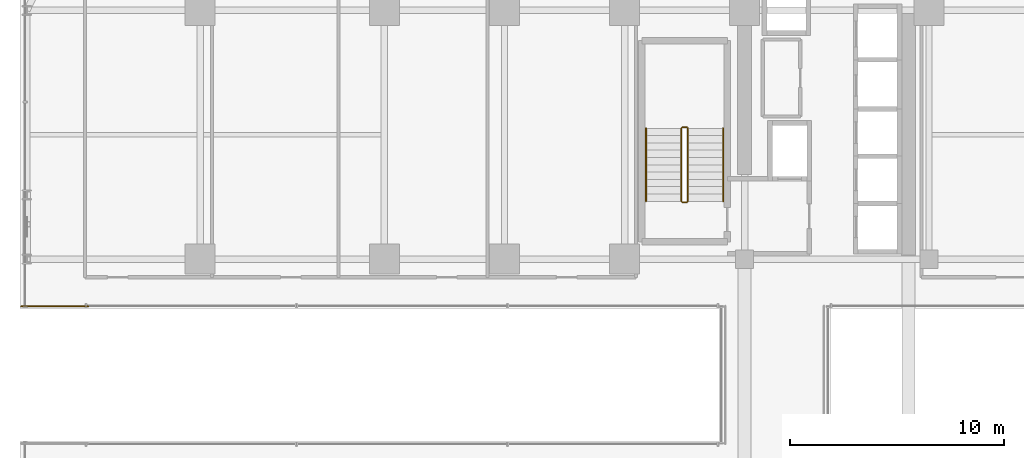
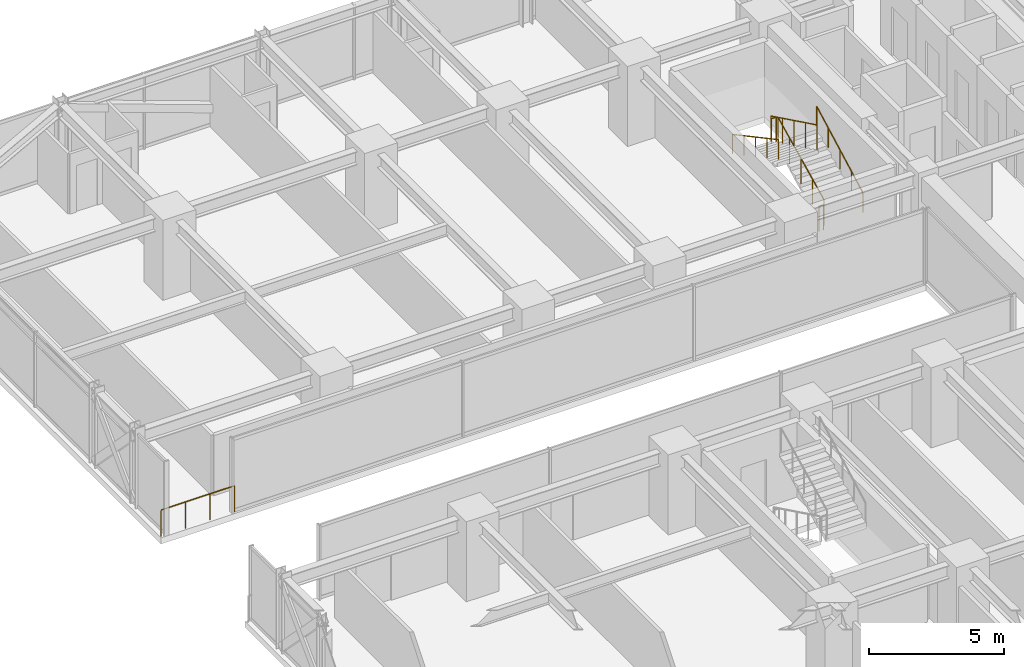
# One storey, part 41 of 43: 7 railings.
"""IFC4 building model written with IfcOpenShell, lengths in metres."""

from ifc_helpers import new_model, si_unit, direction, frame, origin, origin_2d, place, context, subcontext, project, spatial, circle, extrude, material, type_object, element, save


model = new_model("IFC4")

# Units and contexts
model_context = context("Model", 3, precision=1e-05, world=origin(), true_north=direction((0.0, 1.0)))
body_context = subcontext(model_context, "Body", "Model", "MODEL_VIEW")
ifc_project = project(units=[si_unit("LENGTHUNIT", "METRE"), si_unit("AREAUNIT", "SQUARE_METRE"), si_unit("VOLUMEUNIT", "CUBIC_METRE"), si_unit("PLANEANGLEUNIT", "RADIAN"), si_unit("MASSUNIT", "GRAM", prefix="KILO")], contexts=[model_context])

# Site, building, storey
site_placement = place(None, origin())
site = spatial("IfcSite", under=ifc_project, at=site_placement, CompositionType="ELEMENT")
building_placement = place(site_placement, origin())
building = spatial("IfcBuilding", under=site, at=building_placement, Name="Nahalor Promenade Grand Hotel", CompositionType="ELEMENT")
storey_placement = place(building_placement, frame((0.0, 0.0, 57.949951171875)))
storey = spatial("IfcBuildingStorey", under=building, at=storey_placement, Name="L13", CompositionType="ELEMENT", Elevation=57.949951171875)

# Railings
ifc_material_1 = material(Name="Anodised Bronze Aluminium EN AW-6063 T6", Category="aluminium")
railing_type_1 = type_object("IfcRailingType", Name="Bronze Balcony Guardrail 1200 mm", PredefinedType="GUARDRAIL", material=ifc_material_1)
railing_1_placement = place(storey_placement, frame((-25.340087890625, 3.199951171875, 0.0)))
element("IfcRailing", 1, at=railing_1_placement, inside=storey, type_object=railing_type_1, Name="L13 Oculus Void Edge Guardrail WN", PredefinedType="GUARDRAIL", context=body_context, shape_type="SweptSolid", body=[
    extrude(circle(Radius=0.024048, at=origin_2d()), frame((0.0, 0.0, 1.17578125), z_axis=(1.0, 0.0, 0.0), x_axis=(0.0, 1.0, 0.0)), (0.0, 0.0, 1.0), 3.1201171875),
    extrude(circle(Radius=0.020996, at=origin_2d()), origin(), (0.0, 0.0, 1.0), 1.14990234375),
    extrude(circle(Radius=0.020996, at=origin_2d()), frame((1.0400390625, 0.0, 0.0)), (0.0, 0.0, 1.0), 1.14990234375),
    extrude(circle(Radius=0.020996, at=origin_2d()), frame((2.080078125, 0.0, 0.0)), (0.0, 0.0, 1.0), 1.14990234375),
    extrude(circle(Radius=0.020996, at=origin_2d()), frame((3.1201171875, 0.0, 0.0)), (0.0, 0.0, 1.0), 1.14990234375),
])
ifc_material_2 = material(Name="Steel S355JR", Category="steel")
railing_type_2 = type_object("IfcRailingType", Name="Steel Stair Guardrail 1150 mm", PredefinedType="GUARDRAIL", material=ifc_material_2)
railing_2_placement = place(storey_placement, frame((5.75, 8.10009765625, 0.166015625)))
element("IfcRailing", 2, at=railing_2_placement, inside=storey, type_object=railing_type_2, Name="L13 ST1 stair guard 1", PredefinedType="GUARDRAIL", context=body_context, shape_type="SweptSolid", body=[
    extrude(circle(Radius=0.024048, at=origin_2d()), frame((0.0, 0.0, 1.1259765625), z_axis=(0.0, 0.898721922897, 0.438518990814), x_axis=(-1.0, 0.0, 0.0)), (0.0, 0.0, 1.0), 3.782958984375),
    extrude(circle(Radius=0.020996, at=origin_2d()), origin(), (0.0, 0.0, 1.0), 1.099853515625),
    extrude(circle(Radius=0.020996, at=origin_2d()), frame((0.0, 0.85009765625, 0.414794921875)), (0.0, 0.0, 1.0), 1.099853515625),
    extrude(circle(Radius=0.020996, at=origin_2d()), frame((0.0, 1.699951171875, 0.82958984375)), (0.0, 0.0, 1.0), 1.099853515625),
    extrude(circle(Radius=0.020996, at=origin_2d()), frame((0.0, 2.5498046875, 1.244140625)), (0.0, 0.0, 1.0), 1.099853515625),
    extrude(circle(Radius=0.020996, at=origin_2d()), frame((0.0, 3.39990234375, 1.658935546875)), (0.0, 0.0, 1.0), 1.099853515625),
])
railing_3_placement = place(storey_placement, frame((5.699951171875, 11.550048828125, 1.824951171875)))
element("IfcRailing", 3, at=railing_3_placement, inside=storey, type_object=railing_type_2, Name="L13 ST1 stair guard 2", PredefinedType="GUARDRAIL", context=body_context, shape_type="SweptSolid", body=[
    extrude(circle(Radius=0.024048, at=origin_2d()), frame((0.0, 0.0, 1.1259765625), z_axis=(-1.0, 0.0, 0.0), x_axis=(0.0, -1.0, 0.0)), (0.0, 0.0, 1.0), 0.199951171875),
    extrude(circle(Radius=0.020996, at=origin_2d()), origin(), (0.0, 0.0, 1.0), 1.099853515625),
    extrude(circle(Radius=0.020996, at=origin_2d()), frame((-0.199951171875, 0.0, 0.0)), (0.0, 0.0, 1.0), 1.099853515625),
])
railing_4_placement = place(storey_placement, frame((5.449951171875, 11.5, 1.990966796875)))
element("IfcRailing", 4, at=railing_4_placement, inside=storey, type_object=railing_type_2, Name="L13 ST1 stair guard 3", PredefinedType="GUARDRAIL", context=body_context, shape_type="SweptSolid", body=[
    extrude(circle(Radius=0.024048, at=origin_2d()), frame((0.0, 0.0, 1.1259765625), z_axis=(0.0, -0.898696488221, 0.438571114028), x_axis=(1.0, 0.0, 0.0)), (0.0, 0.0, 1.0), 3.783203125),
    extrude(circle(Radius=0.020996, at=origin_2d()), origin(), (0.0, 0.0, 1.0), 1.099853515625),
    extrude(circle(Radius=0.020996, at=origin_2d()), frame((0.0, -0.85009765625, 0.414794921875)), (0.0, 0.0, 1.0), 1.099853515625),
    extrude(circle(Radius=0.020996, at=origin_2d()), frame((0.0, -1.699951171875, 0.82958984375)), (0.0, 0.0, 1.0), 1.099853515625),
    extrude(circle(Radius=0.020996, at=origin_2d()), frame((0.0, -2.5498046875, 1.244384765625)), (0.0, 0.0, 1.0), 1.099853515625),
    extrude(circle(Radius=0.020996, at=origin_2d()), frame((0.0, -3.39990234375, 1.6591796875)), (0.0, 0.0, 1.0), 1.099853515625),
])
railing_5_placement = place(storey_placement, frame((5.699951171875, 8.050048828125, 0.0)))
element("IfcRailing", 5, at=railing_5_placement, inside=storey, type_object=railing_type_2, Name="L13 ST1 stair guard 4", PredefinedType="GUARDRAIL", context=body_context, shape_type="SweptSolid", body=[
    extrude(circle(Radius=0.024048, at=origin_2d()), frame((0.0, 0.0, 1.1259765625), z_axis=(-1.0, 0.0, 0.0), x_axis=(0.0, -1.0, 0.0)), (0.0, 0.0, 1.0), 0.199951171875),
    extrude(circle(Radius=0.020996, at=origin_2d()), origin(), (0.0, 0.0, 1.0), 1.099853515625),
    extrude(circle(Radius=0.020996, at=origin_2d()), frame((-0.199951171875, 0.0, 0.0)), (0.0, 0.0, 1.0), 1.099853515625),
])
railing_type_3 = type_object("IfcRailingType", Name="Steel Stair Handrail 900 mm", PredefinedType="HANDRAIL", material=ifc_material_2)
railing_6_placement = place(storey_placement, frame((7.39990234375, 8.10009765625, 0.166015625)))
element("IfcRailing", 6, at=railing_6_placement, inside=storey, type_object=railing_type_3, Name="L13 ST1 stair handrail 1", PredefinedType="HANDRAIL", context=body_context, shape_type="SweptSolid", body=[
    extrude(circle(Radius=0.024048, at=origin_2d()), frame((0.0, 0.0, 0.8759765625), z_axis=(0.0, 0.881094038095, 0.47294111265), x_axis=(-1.0, 0.0, 0.0)), (0.0, 0.0, 1.0), 3.858642578125),
    extrude(circle(Radius=0.020996, at=origin_2d()), origin(), (0.0, 0.0, 1.0), 0.849853515625),
    extrude(circle(Radius=0.020996, at=origin_2d()), frame((0.0, 0.85009765625, 0.456298828125)), (0.0, 0.0, 1.0), 0.849853515625),
    extrude(circle(Radius=0.020996, at=origin_2d()), frame((0.0, 1.699951171875, 0.91259765625)), (0.0, 0.0, 1.0), 0.849853515625),
    extrude(circle(Radius=0.020996, at=origin_2d()), frame((0.0, 2.5498046875, 1.36865234375)), (0.0, 0.0, 1.0), 0.849853515625),
    extrude(circle(Radius=0.020996, at=origin_2d()), frame((0.0, 3.39990234375, 1.824951171875)), (0.0, 0.0, 1.0), 0.849853515625),
])
railing_7_placement = place(storey_placement, frame((3.800048828125, 11.5, 1.990966796875)))
element("IfcRailing", 7, at=railing_7_placement, inside=storey, type_object=railing_type_3, Name="L13 ST1 stair handrail 2", PredefinedType="HANDRAIL", context=body_context, shape_type="SweptSolid", body=[
    extrude(circle(Radius=0.024048, at=origin_2d()), frame((0.0, 0.0, 0.8759765625), z_axis=(0.0, -0.881094038095, 0.47294111265), x_axis=(1.0, 0.0, 0.0)), (0.0, 0.0, 1.0), 3.858642578125),
    extrude(circle(Radius=0.020996, at=origin_2d()), origin(), (0.0, 0.0, 1.0), 0.849853515625),
    extrude(circle(Radius=0.020996, at=origin_2d()), frame((0.0, -0.85009765625, 0.456298828125)), (0.0, 0.0, 1.0), 0.849853515625),
    extrude(circle(Radius=0.020996, at=origin_2d()), frame((0.0, -1.699951171875, 0.91259765625)), (0.0, 0.0, 1.0), 0.849853515625),
    extrude(circle(Radius=0.020996, at=origin_2d()), frame((0.0, -2.5498046875, 1.36865234375)), (0.0, 0.0, 1.0), 0.849853515625),
    extrude(circle(Radius=0.020996, at=origin_2d()), frame((0.0, -3.39990234375, 1.824951171875)), (0.0, 0.0, 1.0), 0.849853515625),
])

save(model, "model.ifc")
